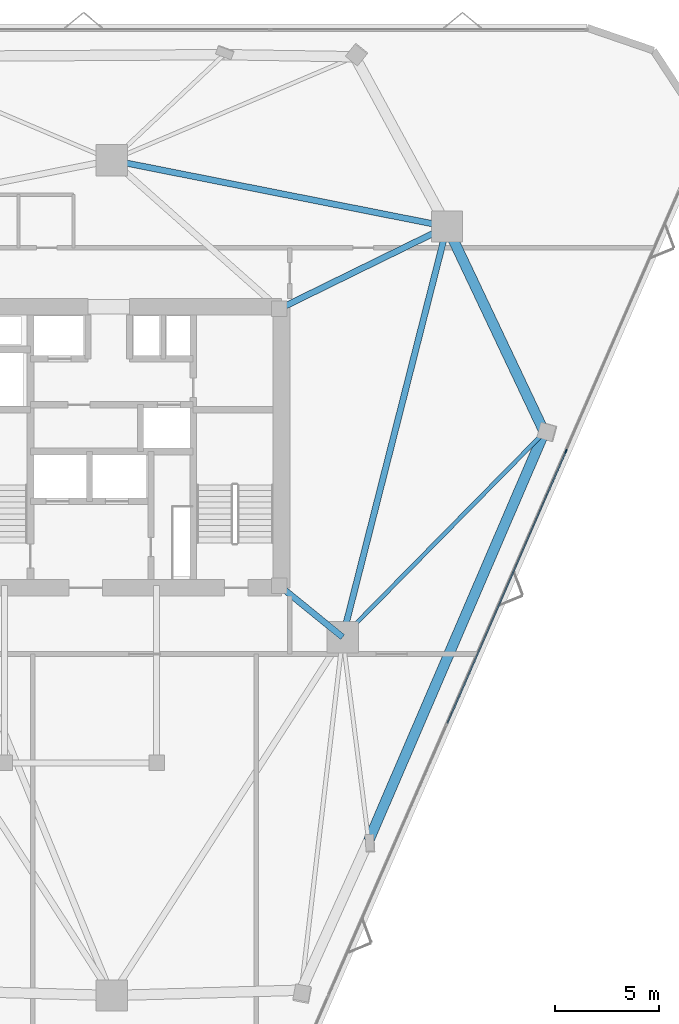
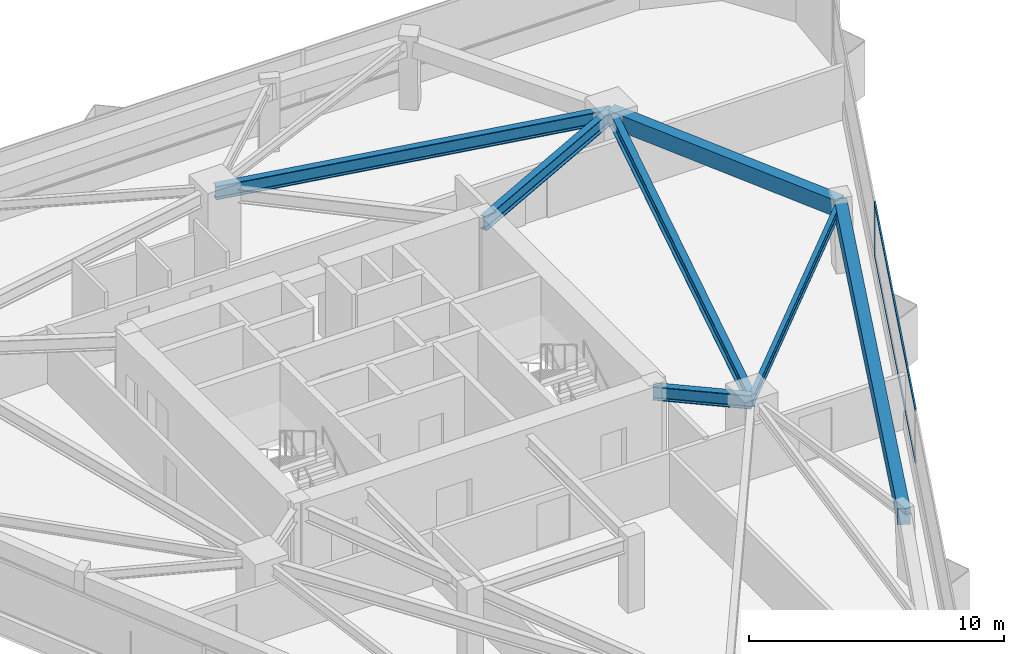
# One storey, part 6 of 11: 7 beams, 3 members, 1 element without a shape of its own.
"""IFC4 building model written with IfcOpenShell, lengths in metres."""

from ifc_helpers import new_model, si_unit, direction, frame, origin, origin_2d, place, context, subcontext, project, spatial, rectangle, i_section, extrude, material, layer, layer_set, material_profile, profile_set, type_object, element, aggregate, save


model = new_model("IFC4")

# Units and contexts
model_context = context("Model", 3, precision=1e-05, world=origin(), true_north=direction((0.0, 1.0)))
body_context = subcontext(model_context, "Body", "Model", "MODEL_VIEW")
ifc_project = project(units=[si_unit("LENGTHUNIT", "METRE"), si_unit("AREAUNIT", "SQUARE_METRE"), si_unit("VOLUMEUNIT", "CUBIC_METRE"), si_unit("PLANEANGLEUNIT", "RADIAN"), si_unit("MASSUNIT", "GRAM", prefix="KILO")], contexts=[model_context])

# Site, building, storey
site_placement = place(None, origin())
site = spatial("IfcSite", under=ifc_project, at=site_placement, CompositionType="ELEMENT")
building_placement = place(site_placement, origin())
building = spatial("IfcBuilding", under=site, at=building_placement, Name="Talyreon Biosciences Tower", CompositionType="ELEMENT")
storey_placement = place(building_placement, frame((0.0, 0.0, 163.699951171875)))
storey = spatial("IfcBuildingStorey", under=building, at=storey_placement, Name="L43", CompositionType="ELEMENT", Elevation=163.699951171875)

# Curtain wall, members
ifc_material_1 = material(Name="Thermally broken aluminium and low-E glazing", Category="aluminium")
ifc_layer = layer(ifc_material_1, 0.18505859375)
ifc_layer_set = layer_set([ifc_layer], Name="Thermally broken aluminium and low-E glazing")
curtain_wall_type = type_object("IfcCurtainWallType", Name="CurtainWall_Zone3Bioprocess", PredefinedType="NOTDEFINED", material=ifc_layer_set)
curtain_wall_placement = place(storey_placement, origin())
curtain_wall = element("IfcCurtainWall", 1, at=curtain_wall_placement, inside=storey, type_object=curtain_wall_type, Name="L43 Unitised Curtain Wall FCW-L43-08", PredefinedType="NOTDEFINED")
ifc_material_2 = material(Name="Anodised thermally broken aluminium", Category="aluminium")
ifc_material_profile_1 = material_profile(ifc_material_2, rectangle(XDim=0.06494140625, YDim=0.179931640625, at=origin_2d()), Name="ALUM MULLION 65x180")
ifc_profile_set_1 = profile_set([ifc_material_profile_1], Name="Anodised thermally broken aluminium")
member_type_1 = type_object("IfcMemberType", Name="CWMullion_65x180", PredefinedType="MULLION", material=ifc_profile_set_1)
member_1_placement = place(storey_placement, frame((87.81396484375, 67.81201171875, 0.81005859375), z_axis=(0.0, 0.0, 1.0), x_axis=(0.916731187474, -0.399504605621, 0.0)))
member_1 = element("IfcMember", 2, at=member_1_placement, type_object=member_type_1, Name="CW4 mullion 2", PredefinedType="MULLION", context=body_context, shape_type="SweptSolid", body=[
    extrude(rectangle(XDim=0.06494140625, YDim=0.179931640625, at=origin_2d()), origin(), (0.0, 0.0, 1.0), 2.56494140625),
])
ifc_material_profile_2 = material_profile(ifc_material_2, rectangle(XDim=0.06494140625, YDim=0.139892578125, at=origin_2d()), Name="ALUM TRANSOM 65x140")
ifc_profile_set_2 = profile_set([ifc_material_profile_2], Name="Anodised thermally broken aluminium")
member_type_2 = type_object("IfcMemberType", Name="CWTransom_65x140", PredefinedType="USERDEFINED", material=ifc_profile_set_2)
member_2_placement = place(storey_placement, frame((87.80078125, 67.7822265625, 0.842529296875), z_axis=(-0.399500699967, -0.916732889519, 0.0), x_axis=(0.916732889519, -0.399500699967, 0.0)))
member_2 = element("IfcMember", 3, at=member_2_placement, type_object=member_type_2, Name="CW4 transom 2.1", ObjectType="TRANSOM", PredefinedType="USERDEFINED", context=body_context, shape_type="SweptSolid", body=[
    extrude(rectangle(XDim=0.06494140625, YDim=0.139892578125, at=origin_2d()), origin(), (0.0, 0.0, 1.0), 14.219482421875),
])
member_3_placement = place(storey_placement, frame((87.80078125, 67.7822265625, 3.342529296875), z_axis=(-0.399500699967, -0.916732889519, 0.0), x_axis=(0.916732889519, -0.399500699967, 0.0)))
member_3 = element("IfcMember", 4, at=member_3_placement, type_object=member_type_2, Name="CW4 transom 2.2", ObjectType="TRANSOM", PredefinedType="USERDEFINED", context=body_context, shape_type="SweptSolid", body=[
    extrude(rectangle(XDim=0.06494140625, YDim=0.139892578125, at=origin_2d()), origin(), (0.0, 0.0, 1.0), 14.219482421875),
])
aggregate(curtain_wall, [member_1, member_2, member_3])

# Beams
ifc_material_3 = material(Name="Precast concrete C45/55", Category="concrete")
ifc_material_profile_3 = material_profile(ifc_material_3, rectangle(XDim=0.5, YDim=0.780029296875, at=origin_2d()), Name="RCB 500x780")
ifc_profile_set_3 = profile_set([ifc_material_profile_3], Name="Precast concrete C45/55")
beam_type_1 = type_object("IfcBeamType", Name="ExpressedSpandrel_500x780", PredefinedType="SPANDREL", material=ifc_profile_set_3)
beam_1_placement = place(storey_placement, frame((78.335693359375, 49.098388671875, 2.985107421875), z_axis=(0.395070769826, 0.918650688145, 0.0), x_axis=(-0.918650688145, 0.395070769826, 0.0)))
element("IfcBeam", 5, at=beam_1_placement, inside=storey, type_object=beam_type_1, Name="L43 Expressed Horizontal Concrete Spandrel 03", PredefinedType="SPANDREL", context=body_context, shape_type="SweptSolid", body=[
    extrude(rectangle(XDim=0.5, YDim=0.780029296875, at=origin_2d()), origin(), (0.0, 0.0, 1.0), 21.361328125),
])
beam_2_placement = place(storey_placement, frame((86.77490234375, 68.721923828125, 2.985107421875), z_axis=(-0.427650224466, 0.903944293369, 0.0), x_axis=(-0.903944293369, -0.427650224466, 0.0)))
element("IfcBeam", 6, at=beam_2_placement, inside=storey, type_object=beam_type_1, Name="L43 Expressed Horizontal Concrete Spandrel 04", PredefinedType="SPANDREL", context=body_context, shape_type="SweptSolid", body=[
    extrude(rectangle(XDim=0.5, YDim=0.780029296875, at=origin_2d()), origin(), (0.0, 0.0, 1.0), 10.92626953125),
])
ifc_material_4 = material(Name="Steel SM355", Category="steel")
ifc_material_profile_4 = material_profile(ifc_material_4, i_section(OverallWidth=0.300048828125, OverallDepth=0.64990234375, WebThickness=0.01611328125, FlangeThickness=0.031005859375, FilletRadius=0.027099609375, at=origin_2d()), Name="HE650B")
ifc_profile_set_4 = profile_set([ifc_material_profile_4], Name="Steel SM355")
beam_type_2 = type_object("IfcBeamType", Name="SteelBeam_HE650B", PredefinedType="BEAM", material=ifc_profile_set_4)
beam_3_placement = place(storey_placement, frame((77.086181640625, 58.88037109375, 3.050048828125), z_axis=(0.246537082299, 0.969133358755, 0.0), x_axis=(-0.969133358755, 0.246537082299, 0.0)))
element("IfcBeam", 7, at=beam_3_placement, inside=storey, type_object=beam_type_2, Name="L43 Mega-Ring Girder 2", PredefinedType="BEAM", context=body_context, shape_type="SweptSolid", body=[
    extrude(i_section(OverallWidth=0.300048828125, OverallDepth=0.64990234375, WebThickness=0.01611328125, FlangeThickness=0.031005859375, FilletRadius=0.027099609375, at=origin_2d()), origin(), (0.0, 0.0, 1.0), 20.34619140625),
])
beam_4_placement = place(storey_placement, frame((82.102294921875, 78.5986328125, 3.050048828125), z_axis=(-0.980933730698, 0.194342522311, 0.0), x_axis=(-0.194342522311, -0.980933730698, 0.0)))
element("IfcBeam", 8, at=beam_4_placement, inside=storey, type_object=beam_type_2, Name="L43 Mega-Ring Girder 3", PredefinedType="BEAM", context=body_context, shape_type="SweptSolid", body=[
    extrude(i_section(OverallWidth=0.300048828125, OverallDepth=0.64990234375, WebThickness=0.01611328125, FlangeThickness=0.031005859375, FilletRadius=0.027099609375, at=origin_2d()), origin(), (0.0, 0.0, 1.0), 16.415283203125),
])
beam_5_placement = place(storey_placement, frame((74.050048828125, 61.35009765625, 3.050048828125), z_axis=(0.775755154013, -0.631034025249, 0.0), x_axis=(0.631034025249, 0.775755154013, 0.0)))
element("IfcBeam", 9, at=beam_5_placement, inside=storey, type_object=beam_type_2, Name="L43 Radial Primary Girder 2", PredefinedType="BEAM", context=body_context, shape_type="SweptSolid", body=[
    extrude(i_section(OverallWidth=0.300048828125, OverallDepth=0.64990234375, WebThickness=0.01611328125, FlangeThickness=0.031005859375, FilletRadius=0.027099609375, at=origin_2d()), origin(), (0.0, 0.0, 1.0), 3.913818359375),
])
beam_6_placement = place(storey_placement, frame((74.050048828125, 74.64990234375, 3.050048828125), z_axis=(0.897852360314, 0.440296648952, 0.0), x_axis=(-0.440296648952, 0.897852360314, 0.0)))
element("IfcBeam", 10, at=beam_6_placement, inside=storey, type_object=beam_type_2, Name="L43 Radial Primary Girder 3", PredefinedType="BEAM", context=body_context, shape_type="SweptSolid", body=[
    extrude(i_section(OverallWidth=0.300048828125, OverallDepth=0.64990234375, WebThickness=0.01611328125, FlangeThickness=0.031005859375, FilletRadius=0.027099609375, at=origin_2d()), origin(), (0.0, 0.0, 1.0), 8.96826171875),
])
ifc_material_profile_5 = material_profile(ifc_material_4, i_section(OverallWidth=0.199951171875, OverallDepth=0.5, WebThickness=0.01025390625, FlangeThickness=0.01611328125, FilletRadius=0.02099609375, at=origin_2d()), Name="IPE500")
ifc_profile_set_5 = profile_set([ifc_material_profile_5], Name="Steel SM355")
beam_type_3 = type_object("IfcBeamType", Name="SteelJoist_IPE500", PredefinedType="JOIST", material=ifc_profile_set_5)
beam_7_placement = place(storey_placement, frame((77.086181640625, 58.88037109375, 3.125), z_axis=(0.701551913904, 0.712618349537, 0.0), x_axis=(-0.712618349537, 0.701551913904, 0.0)))
element("IfcBeam", 11, at=beam_7_placement, inside=storey, type_object=beam_type_3, Name="L43 Radial Composite Floor Joist PC-SE2", PredefinedType="JOIST", context=body_context, shape_type="SweptSolid", body=[
    extrude(i_section(OverallWidth=0.199951171875, OverallDepth=0.5, WebThickness=0.01025390625, FlangeThickness=0.01611328125, FilletRadius=0.02099609375, at=origin_2d()), origin(), (0.0, 0.0, 1.0), 13.810302734375),
])

save(model, "model.ifc")
